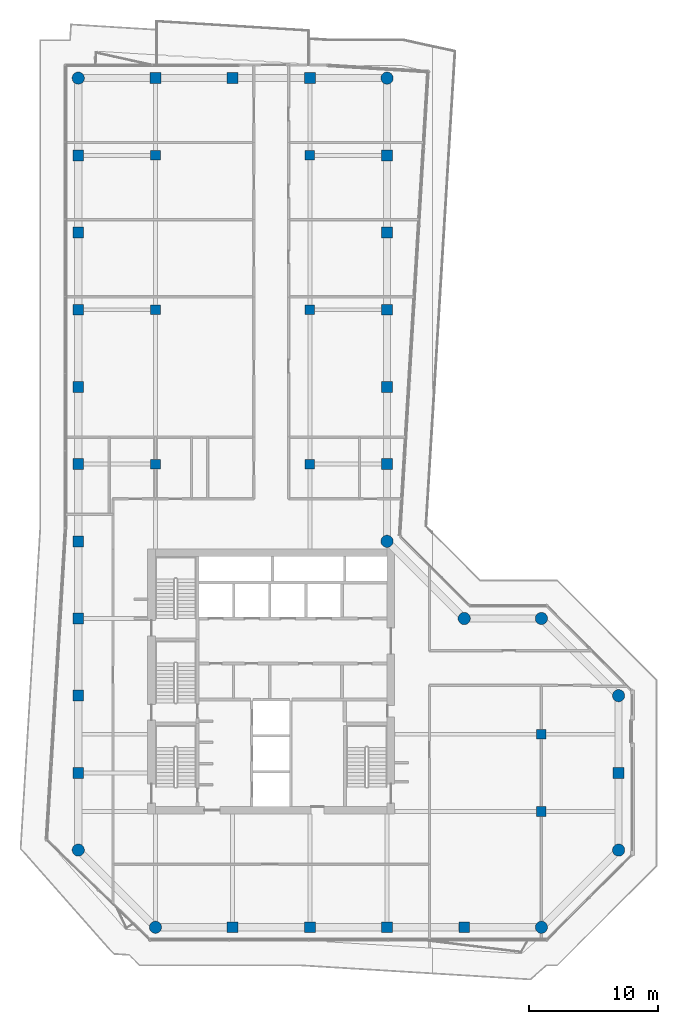
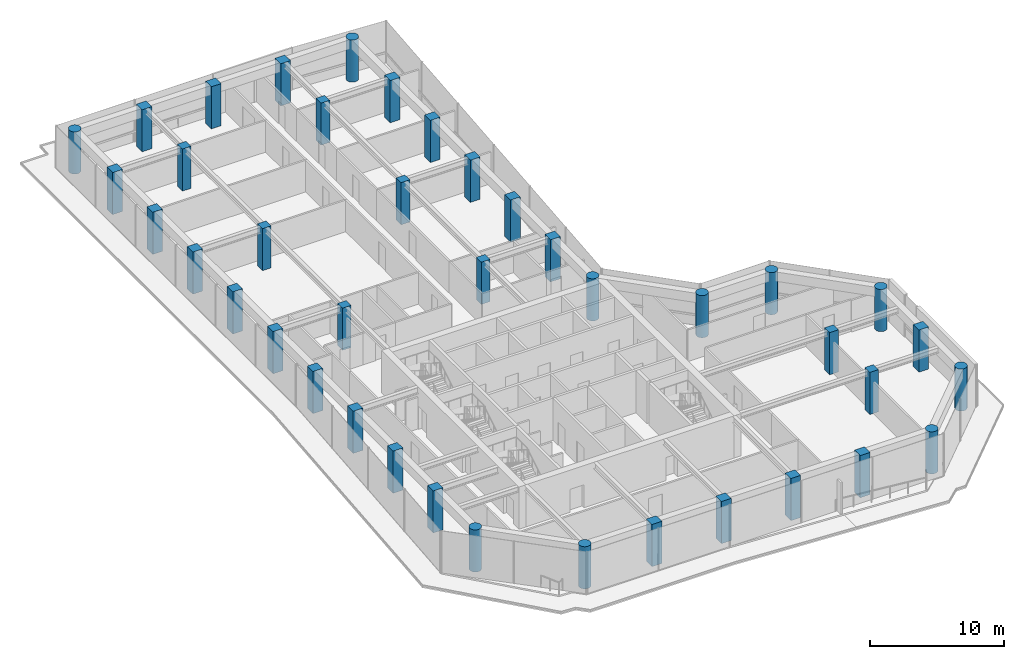
# One storey, part 1 of 22: 40 columns.
"""IFC4 building model written with IfcOpenShell, lengths in metres."""

from ifc_helpers import new_model, si_unit, direction, frame, origin, origin_2d, place, context, subcontext, project, spatial, rectangle, circle, extrude, material, material_profile, profile_set, type_object, element, save


model = new_model("IFC4")

# Units and contexts
model_context = context("Model", 3, precision=1e-05, world=origin(), true_north=direction((0.0, 1.0)))
body_context = subcontext(model_context, "Body", "Model", "MODEL_VIEW")
ifc_project = project(units=[si_unit("LENGTHUNIT", "METRE"), si_unit("AREAUNIT", "SQUARE_METRE"), si_unit("VOLUMEUNIT", "CUBIC_METRE"), si_unit("PLANEANGLEUNIT", "RADIAN"), si_unit("MASSUNIT", "GRAM", prefix="KILO")], contexts=[model_context])

# Site, building, storey
site_placement = place(None, origin())
site = spatial("IfcSite", under=ifc_project, at=site_placement, CompositionType="ELEMENT")
building_placement = place(site_placement, origin())
building = spatial("IfcBuilding", under=site, at=building_placement, Name="Welwitschia Terrace Campus", CompositionType="ELEMENT")
storey_placement = place(building_placement, frame((0.0, 0.0, 155.0)))
storey = spatial("IfcBuildingStorey", under=building, at=storey_placement, Name="L34", CompositionType="ELEMENT", Elevation=155.0)

# Columns
ifc_material_1 = material(Name="Concrete C50/60", Category="concrete")
ifc_material_profile_1 = material_profile(ifc_material_1, circle(Radius=0.47509765625, at=origin_2d()))
ifc_profile_set_1 = profile_set([ifc_material_profile_1], Name="Concrete C50/60")
column_type_1 = type_object("IfcColumnType", Name="Corner column 950 dia", PredefinedType="COLUMN", material=ifc_profile_set_1)
for number, where, z_axis, x_axis, name in (
    (1, (0.0, 2.0, 0.0), (0.0, 0.0, 1.0), (1.0, 0.0, 0.0), "Column C24"),
    (2, (0.0, 62.0, 0.0), (0.0, 0.0, 1.0), (1.0, 0.0, 0.0), "Column C24"),
    (3, (6.0, -4.0, 0.0), (0.0, 0.0, 1.0), (1.0, 0.0, 0.0), "Column C24"),
    (4, (24.0, 26.0, 0.0), (0.0, 0.0, 1.0), (1.0, 0.0, 0.0), "Column C24"),
    (5, (24.0, 62.0, 0.0), (0.0, 0.0, 1.0), (1.0, 0.0, 0.0), "Column C24"),
    (6, (30.0, 20.0, 0.0), (0.0, 0.0, 1.0), (1.0, 0.0, 0.0), "Column C24"),
    (7, (36.0, -4.0, 0.0), (0.0, 0.0, 1.0), (1.0, 0.0, 0.0), "Column C24"),
    (8, (36.0, 20.0, 0.0), (0.0, 0.0, 1.0), (1.0, 0.0, 0.0), "Column C24"),
    (9, (42.0, 2.0, 0.0), (0.0, 0.0, 1.0), (1.0, 0.0, 0.0), "Column C24"),
    (10, (42.0, 14.0, 0.0), (0.0, 0.0, 1.0), (1.0, 0.0, 0.0), "Column C24"),
):
    element("IfcColumn", number, at=place(storey_placement, frame(where, z_axis=z_axis, x_axis=x_axis)), inside=storey, type_object=column_type_1, Name=name, PredefinedType="COLUMN", context=body_context, shape_type="SweptSolid", body=[
        extrude(circle(Radius=0.47509765625, at=origin_2d()), origin(), (0.0, 0.0, 1.0), 3.85009765625),
    ])
ifc_material_2 = material(Name="Concrete C50/60", Category="concrete")
ifc_material_profile_2 = material_profile(ifc_material_2, rectangle(XDim=0.75, YDim=0.75, at=origin_2d()))
ifc_profile_set_2 = profile_set([ifc_material_profile_2], Name="Concrete C50/60")
column_type_2 = type_object("IfcColumnType", Name="Interior column 750x750", PredefinedType="COLUMN", material=ifc_profile_set_2)
for number, where, z_axis, x_axis, name in (
    (11, (6.0, 32.0, 0.0), (0.0, 0.0, 1.0), (1.0, 0.0, 0.0), "Column C25"),
    (12, (6.0, 44.0, 0.0), (0.0, 0.0, 1.0), (1.0, 0.0, 0.0), "Column C25"),
    (13, (6.0, 56.0, 0.0), (0.0, 0.0, 1.0), (1.0, 0.0, 0.0), "Column C25"),
    (14, (18.0, 32.0, 0.0), (0.0, 0.0, 1.0), (1.0, 0.0, 0.0), "Column C25"),
    (15, (18.0, 44.0, 0.0), (0.0, 0.0, 1.0), (1.0, 0.0, 0.0), "Column C25"),
    (16, (18.0, 56.0, 0.0), (0.0, 0.0, 1.0), (1.0, 0.0, 0.0), "Column C25"),
    (17, (36.0, 5.0, 0.0), (0.0, 0.0, 1.0), (1.0, 0.0, 0.0), "Column C25"),
    (18, (36.0, 11.0, 0.0), (0.0, 0.0, 1.0), (1.0, 0.0, 0.0), "Column C25"),
):
    element("IfcColumn", number, at=place(storey_placement, frame(where, z_axis=z_axis, x_axis=x_axis)), inside=storey, type_object=column_type_2, Name=name, PredefinedType="COLUMN", context=body_context, shape_type="SweptSolid", body=[
        extrude(rectangle(XDim=0.75, YDim=0.75, at=origin_2d()), origin(), (0.0, 0.0, 1.0), 3.85009765625),
    ])
ifc_material_3 = material(Name="Concrete C50/60", Category="concrete")
ifc_material_profile_3 = material_profile(ifc_material_3, rectangle(XDim=0.85009765625, YDim=0.85009765625, at=origin_2d()))
ifc_profile_set_3 = profile_set([ifc_material_profile_3], Name="Concrete C50/60")
column_type_3 = type_object("IfcColumnType", Name="Ring column 850x850", PredefinedType="COLUMN", material=ifc_profile_set_3)
for number, where, z_axis, x_axis, name in (
    (19, (0.0, 8.0, 0.0), (0.0, 0.0, 1.0), (1.0, 0.0, 0.0), "Column C23"),
    (20, (0.0, 14.0, 0.0), (0.0, 0.0, 1.0), (1.0, 0.0, 0.0), "Column C23"),
    (21, (0.0, 20.0, 0.0), (0.0, 0.0, 1.0), (1.0, 0.0, 0.0), "Column C23"),
    (22, (0.0, 26.0, 0.0), (0.0, 0.0, 1.0), (1.0, 0.0, 0.0), "Column C23"),
    (23, (0.0, 32.0, 0.0), (0.0, 0.0, 1.0), (1.0, 0.0, 0.0), "Column C23"),
    (24, (0.0, 38.0, 0.0), (0.0, 0.0, 1.0), (1.0, 0.0, 0.0), "Column C23"),
    (25, (0.0, 44.0, 0.0), (0.0, 0.0, 1.0), (1.0, 0.0, 0.0), "Column C23"),
    (26, (0.0, 50.0, 0.0), (0.0, 0.0, 1.0), (1.0, 0.0, 0.0), "Column C23"),
    (27, (0.0, 56.0, 0.0), (0.0, 0.0, 1.0), (1.0, 0.0, 0.0), "Column C23"),
    (28, (6.0, 62.0, 0.0), (0.0, 0.0, 1.0), (1.0, 0.0, 0.0), "Column C23"),
    (29, (12.0, -4.0, 0.0), (0.0, 0.0, 1.0), (1.0, 0.0, 0.0), "Column C23"),
    (30, (12.0, 62.0, 0.0), (0.0, 0.0, 1.0), (1.0, 0.0, 0.0), "Column C23"),
    (31, (18.0, -4.0, 0.0), (0.0, 0.0, 1.0), (1.0, 0.0, 0.0), "Column C23"),
    (32, (18.0, 62.0, 0.0), (0.0, 0.0, 1.0), (1.0, 0.0, 0.0), "Column C23"),
    (33, (24.0, -4.0, 0.0), (0.0, 0.0, 1.0), (1.0, 0.0, 0.0), "Column C23"),
    (34, (24.0, 32.0, 0.0), (0.0, 0.0, 1.0), (1.0, 0.0, 0.0), "Column C23"),
    (35, (24.0, 38.0, 0.0), (0.0, 0.0, 1.0), (1.0, 0.0, 0.0), "Column C23"),
    (36, (24.0, 44.0, 0.0), (0.0, 0.0, 1.0), (1.0, 0.0, 0.0), "Column C23"),
    (37, (24.0, 50.0, 0.0), (0.0, 0.0, 1.0), (1.0, 0.0, 0.0), "Column C23"),
    (38, (24.0, 56.0, 0.0), (0.0, 0.0, 1.0), (1.0, 0.0, 0.0), "Column C23"),
    (39, (30.0, -4.0, 0.0), (0.0, 0.0, 1.0), (1.0, 0.0, 0.0), "Column C23"),
    (40, (42.0, 8.0, 0.0), (0.0, 0.0, 1.0), (1.0, 0.0, 0.0), "Column C23"),
):
    element("IfcColumn", number, at=place(storey_placement, frame(where, z_axis=z_axis, x_axis=x_axis)), inside=storey, type_object=column_type_3, Name=name, PredefinedType="COLUMN", context=body_context, shape_type="SweptSolid", body=[
        extrude(rectangle(XDim=0.85009765625, YDim=0.85009765625, at=origin_2d()), origin(), (0.0, 0.0, 1.0), 3.85009765625),
    ])

save(model, "model.ifc")
